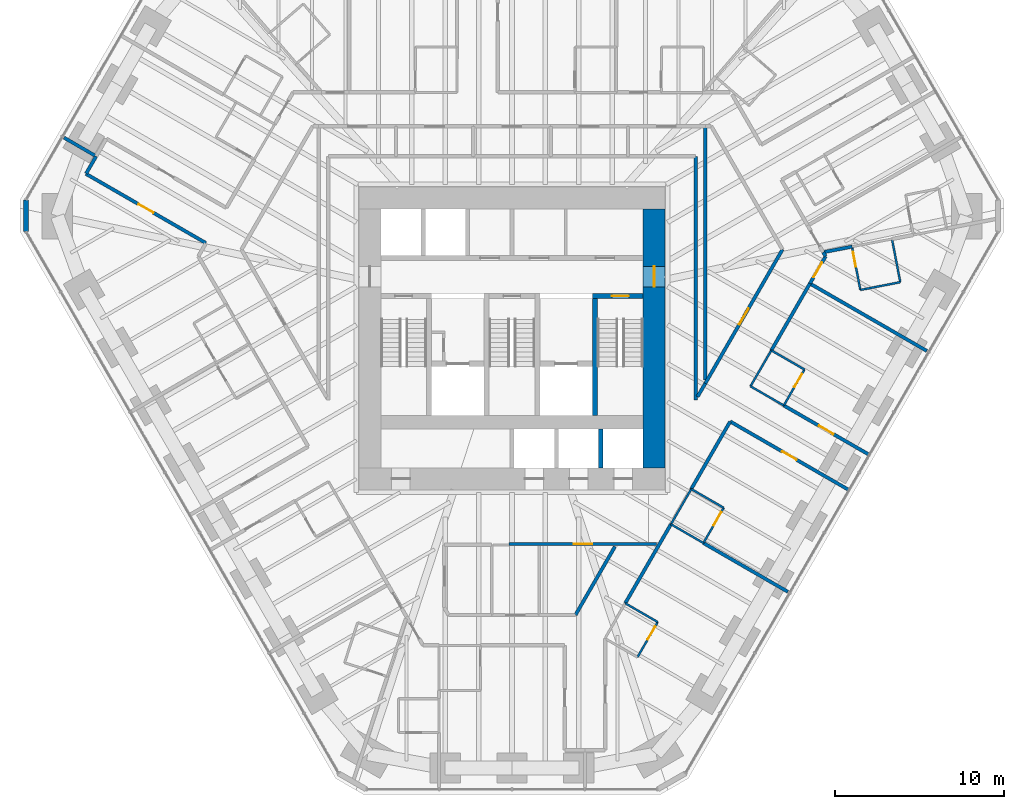
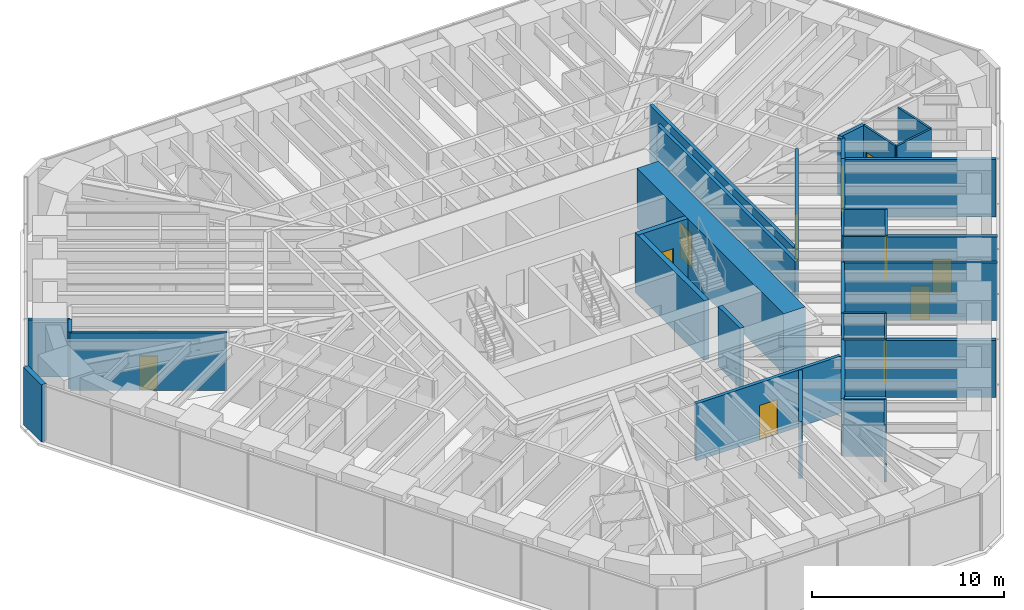
# One storey, part 13 of 17: 37 walls, 12 doors, 12 openings.
"""IFC4 building model written with IfcOpenShell, lengths in metres."""

from ifc_helpers import new_model, si_unit, direction, frame, frame_2d, origin, place, context, subcontext, project, spatial, rectangle, extrude, material, layer, layer_set, type_object, element, fill, save


model = new_model("IFC4")

# Units and contexts
model_context = context("Model", 3, precision=1e-05, world=origin(), true_north=direction((0.0, 1.0)))
body_context = subcontext(model_context, "Body", "Model", "MODEL_VIEW")
ifc_project = project(units=[si_unit("LENGTHUNIT", "METRE"), si_unit("AREAUNIT", "SQUARE_METRE"), si_unit("VOLUMEUNIT", "CUBIC_METRE"), si_unit("PLANEANGLEUNIT", "RADIAN"), si_unit("MASSUNIT", "GRAM", prefix="KILO")], contexts=[model_context])

# Site, building, storey
site_placement = place(None, origin())
site = spatial("IfcSite", under=ifc_project, at=site_placement, CompositionType="ELEMENT")
building_placement = place(site_placement, origin())
building = spatial("IfcBuilding", under=site, at=building_placement, Name="Sandreach Pilgrim Tower", CompositionType="ELEMENT")
storey_placement = place(building_placement, frame((0.0, 0.0, 119.60009765625)))
storey = spatial("IfcBuildingStorey", under=building, at=storey_placement, Name="L29", CompositionType="ELEMENT", Elevation=119.60009765625)

# Wall, opening, door
ifc_material_1 = material(Name="Moisture-resistant gypsum board on steel studs", Category="steel")
ifc_layer_1 = layer(ifc_material_1, 0.1201171875)
ifc_layer_set_1 = layer_set([ifc_layer_1], Name="Bathroom partition 120")
wall_type_1 = type_object("IfcWallType", Name="Bathroom partition 120", PredefinedType="PARTITIONING", material=ifc_layer_set_1)
wall_1_placement = place(storey_placement, frame((7.409912109375, -20.389892578125, 0.0), z_axis=(0.0, 0.0, 1.0), x_axis=(0.499737123639, 0.866177122335, 0.0)))
wall_1 = element("IfcWall", 1, at=wall_1_placement, inside=storey, type_object=wall_type_1, Name="Bathroom partition L29-116", PredefinedType="PARTITIONING", context=body_context, shape_type="SweptSolid", body=[
    extrude(rectangle(XDim=2.401123046875, YDim=0.1201171875, at=frame_2d((1.20068359375, 0.0))), origin(), (0.0, 0.0, 1.0), 3.639892578125),
])
opening_1_placement = place(wall_1_placement, frame((1.201416015625, 0.0, 0.0)))
opening_1 = element("IfcOpeningElement", 2, at=opening_1_placement, cuts=wall_1, Name="Opening D09-11B", PredefinedType="OPENING", context=body_context, shape_type="SweptSolid", body=[
    extrude(rectangle(XDim=0.89990234375, YDim=2.030029296875, at=frame_2d((0.449951171875, 1.01513671875))), frame((0.0, 0.06005859375, 0.0), z_axis=(0.0, -1.0, 0.0), x_axis=(1.0, 0.0, 0.0)), (0.0, 0.0, 1.0), 0.1201171875),
])
ifc_material_2 = material(Name="Timber door, steel frame", Category="steel")
door_type_1 = type_object("IfcDoorType", Name="Bathroom door", OperationType="SINGLE_SWING_LEFT", PredefinedType="DOOR", material=ifc_material_2)
door_1_placement = place(opening_1_placement, origin())
door_1 = element("IfcDoor", 3, at=door_1_placement, inside=storey, type_object=door_type_1, Name="Door 2911B", OperationType="SINGLE_SWING_RIGHT", OverallHeight=2.030029296875, OverallWidth=0.89990234375, PredefinedType="DOOR", context=body_context, shape_type="SweptSolid", body=[
    extrude(rectangle(XDim=0.89990234375, YDim=2.030029296875, at=frame_2d((0.449951171875, 1.01513671875))), frame((0.0, 0.02490234375, 0.0), z_axis=(0.0, -1.0, 0.0), x_axis=(1.0, 0.0, 0.0)), (0.0, 0.0, 1.0), 0.050048828125),
])
fill(opening_1, door_1)

# Walls
wall_2_placement = place(storey_placement, frame((8.610107421875, -18.31005859375, 0.0), z_axis=(0.0, 0.0, 1.0), x_axis=(-0.865732595383, 0.500506816428, 0.0)))
element("IfcWall", 4, at=wall_2_placement, inside=storey, type_object=wall_type_1, Name="Bathroom partition L29-118", PredefinedType="PARTITIONING", context=body_context, shape_type="SweptSolid", body=[
    extrude(rectangle(XDim=2.218017578125, YDim=0.1201171875, at=frame_2d((1.10888671875, 0.0))), origin(), (0.0, 0.0, 1.0), 3.639892578125),
])
wall_3_placement = place(storey_placement, frame((9.389892578125, -12.530029296875, 0.0), z_axis=(0.0, 0.0, 1.0), x_axis=(0.499769390944, 0.866158505053, 0.0)))
element("IfcWall", 5, at=wall_3_placement, inside=storey, type_object=wall_type_1, Name="Bathroom partition L29-121", PredefinedType="PARTITIONING", context=body_context, shape_type="SweptSolid", body=[
    extrude(rectangle(XDim=2.401611328125, YDim=0.1201171875, at=frame_2d((1.20068359375, 0.0))), origin(), (0.0, 0.0, 1.0), 3.639892578125),
])
wall_4_placement = place(storey_placement, frame((9.389892578125, -12.530029296875, 0.0), z_axis=(0.0, 0.0, 1.0), x_axis=(0.865732595383, -0.500506816428, 0.0)))
element("IfcWall", 6, at=wall_4_placement, inside=storey, type_object=wall_type_1, Name="Bathroom partition L29-122", PredefinedType="PARTITIONING", context=body_context, shape_type="SweptSolid", body=[
    extrude(rectangle(XDim=2.218017578125, YDim=0.1201171875, at=frame_2d((1.10888671875, 0.0))), origin(), (0.0, 0.0, 1.0), 3.639892578125),
])

# Wall, opening, door
wall_5_placement = place(storey_placement, frame((11.31005859375, -13.639892578125, 0.0), z_axis=(0.0, 0.0, 1.0), x_axis=(0.499737123639, 0.866177122335, 0.0)))
wall_5 = element("IfcWall", 7, at=wall_5_placement, inside=storey, type_object=wall_type_1, Name="Bathroom partition L29-127", PredefinedType="PARTITIONING", context=body_context, shape_type="SweptSolid", body=[
    extrude(rectangle(XDim=2.401123046875, YDim=0.1201171875, at=frame_2d((1.20068359375, 0.0))), origin(), (0.0, 0.0, 1.0), 3.639892578125),
])
opening_2_placement = place(wall_5_placement, frame((1.201416015625, 0.0, 0.0)))
opening_2 = element("IfcOpeningElement", 8, at=opening_2_placement, cuts=wall_5, Name="Opening D09-10B", PredefinedType="OPENING", context=body_context, shape_type="SweptSolid", body=[
    extrude(rectangle(XDim=0.89990234375, YDim=2.030029296875, at=frame_2d((0.449951171875, 1.01513671875))), frame((0.0, 0.06005859375, 0.0), z_axis=(0.0, -1.0, 0.0), x_axis=(1.0, 0.0, 0.0)), (0.0, 0.0, 1.0), 0.1201171875),
])
door_2_placement = place(opening_2_placement, origin())
door_2 = element("IfcDoor", 9, at=door_2_placement, inside=storey, type_object=door_type_1, Name="Door 2910B", OperationType="SINGLE_SWING_RIGHT", OverallHeight=2.030029296875, OverallWidth=0.89990234375, PredefinedType="DOOR", context=body_context, shape_type="SweptSolid", body=[
    extrude(rectangle(XDim=0.89990234375, YDim=2.030029296875, at=frame_2d((0.449951171875, 1.01513671875))), frame((0.0, 0.02490234375, 0.0), z_axis=(0.0, -1.0, 0.0), x_axis=(1.0, 0.0, 0.0)), (0.0, 0.0, 1.0), 0.050048828125),
])
fill(opening_2, door_2)

# Walls
wall_6_placement = place(storey_placement, frame((12.510009765625, -11.56005859375, 0.0), z_axis=(0.0, 0.0, 1.0), x_axis=(-0.865705017107, 0.500554515868, 0.0)))
element("IfcWall", 10, at=wall_6_placement, inside=storey, type_object=wall_type_1, Name="Bathroom partition L29-139", PredefinedType="PARTITIONING", context=body_context, shape_type="SweptSolid", body=[
    extrude(rectangle(XDim=2.2177734375, YDim=0.1201171875, at=frame_2d((1.10888671875, 0.0))), origin(), (0.0, 0.0, 1.0), 3.639892578125),
])
wall_7_placement = place(storey_placement, frame((14.090087890625, -4.3798828125, 0.0), z_axis=(0.0, 0.0, 1.0), x_axis=(0.501856726365, 0.86495076519, 0.0)))
element("IfcWall", 11, at=wall_7_placement, inside=storey, type_object=wall_type_1, Name="Bathroom partition L29-145", PredefinedType="PARTITIONING", context=body_context, shape_type="SweptSolid", body=[
    extrude(rectangle(XDim=2.450927734375, YDim=0.1201171875, at=frame_2d((1.2255859375, 0.0))), origin(), (0.0, 0.0, 1.0), 3.639892578125),
])
wall_8_placement = place(storey_placement, frame((14.090087890625, -4.3798828125, 0.0), z_axis=(0.0, 0.0, 1.0), x_axis=(0.866151579213, -0.499781394038, 0.0)))
element("IfcWall", 12, at=wall_8_placement, inside=storey, type_object=wall_type_1, Name="Bathroom partition L29-146", PredefinedType="PARTITIONING", context=body_context, shape_type="SweptSolid", body=[
    extrude(rectangle(XDim=2.27099609375, YDim=0.1201171875, at=frame_2d((1.135498046875, 0.0))), origin(), (0.0, 0.0, 1.0), 3.639892578125),
])

# Wall, opening, door
wall_9_placement = place(storey_placement, frame((16.06005859375, -5.510009765625, 0.0), z_axis=(0.0, 0.0, 1.0), x_axis=(0.498748634132, 0.866746675766, 0.0)))
wall_9 = element("IfcWall", 13, at=wall_9_placement, inside=storey, type_object=wall_type_1, Name="Bathroom partition L29-153", PredefinedType="PARTITIONING", context=body_context, shape_type="SweptSolid", body=[
    extrude(rectangle(XDim=2.446044921875, YDim=0.1201171875, at=frame_2d((1.22314453125, 0.0))), origin(), (0.0, 0.0, 1.0), 3.639892578125),
])
opening_3_placement = place(wall_9_placement, frame((1.24609375, 0.0, 0.0)))
opening_3 = element("IfcOpeningElement", 14, at=opening_3_placement, cuts=wall_9, Name="Opening D09-09B", PredefinedType="OPENING", context=body_context, shape_type="SweptSolid", body=[
    extrude(rectangle(XDim=0.89990234375, YDim=2.030029296875, at=frame_2d((0.449951171875, 1.01513671875))), frame((0.0, 0.06005859375, 0.0), z_axis=(0.0, -1.0, 0.0), x_axis=(1.0, 0.0, 0.0)), (0.0, 0.0, 1.0), 0.1201171875),
])
door_3_placement = place(opening_3_placement, origin())
door_3 = element("IfcDoor", 15, at=door_3_placement, inside=storey, type_object=door_type_1, Name="Door 2909B", OperationType="SINGLE_SWING_RIGHT", OverallHeight=2.030029296875, OverallWidth=0.89990234375, PredefinedType="DOOR", context=body_context, shape_type="SweptSolid", body=[
    extrude(rectangle(XDim=0.89990234375, YDim=2.030029296875, at=frame_2d((0.449951171875, 1.01513671875))), frame((0.0, 0.02490234375, 0.0), z_axis=(0.0, -1.0, 0.0), x_axis=(1.0, 0.0, 0.0)), (0.0, 0.0, 1.0), 0.050048828125),
])
fill(opening_3, door_3)

# Wall
wall_10_placement = place(storey_placement, frame((17.280029296875, -3.389892578125, 0.0), z_axis=(0.0, 0.0, 1.0), x_axis=(-0.86635082644, 0.49943592735, 0.0)))
element("IfcWall", 16, at=wall_10_placement, inside=storey, type_object=wall_type_1, Name="Bathroom partition L29-156", PredefinedType="PARTITIONING", context=body_context, shape_type="SweptSolid", body=[
    extrude(rectangle(XDim=2.26220703125, YDim=0.1201171875, at=frame_2d((1.131103515625, 0.0))), origin(), (0.0, 0.0, 1.0), 3.639892578125),
])

# Wall, opening, door
wall_11_placement = place(storey_placement, frame((20.090087890625, 3.8701171875, 0.0), z_axis=(0.0, 0.0, 1.0), x_axis=(0.187985762814, -0.982171753299, 0.0)))
wall_11 = element("IfcWall", 17, at=wall_11_placement, inside=storey, type_object=wall_type_1, Name="Bathroom partition L29-164", PredefinedType="PARTITIONING", context=body_context, shape_type="SweptSolid", body=[
    extrude(rectangle(XDim=2.6064453125, YDim=0.1201171875, at=frame_2d((1.30322265625, 0.0))), origin(), (0.0, 0.0, 1.0), 3.639892578125),
])
opening_4_placement = place(wall_11_placement, frame((0.300048828125, 0.0, 0.0)))
opening_4 = element("IfcOpeningElement", 18, at=opening_4_placement, cuts=wall_11, Name="Opening D09-08B", PredefinedType="OPENING", context=body_context, shape_type="SweptSolid", body=[
    extrude(rectangle(XDim=0.89990234375, YDim=2.030029296875, at=frame_2d((0.449951171875, 1.01513671875))), frame((0.0, 0.06005859375, 0.0), z_axis=(0.0, -1.0, 0.0), x_axis=(1.0, 0.0, 0.0)), (0.0, 0.0, 1.0), 0.1201171875),
])
door_4_placement = place(opening_4_placement, origin())
door_4 = element("IfcDoor", 19, at=door_4_placement, inside=storey, type_object=door_type_1, Name="Door 2908B", OperationType="SINGLE_SWING_LEFT", OverallHeight=2.030029296875, OverallWidth=0.89990234375, PredefinedType="DOOR", context=body_context, shape_type="SweptSolid", body=[
    extrude(rectangle(XDim=0.89990234375, YDim=2.030029296875, at=frame_2d((0.449951171875, 1.01513671875))), frame((0.0, 0.02490234375, 0.0), z_axis=(0.0, -1.0, 0.0), x_axis=(1.0, 0.0, 0.0)), (0.0, 0.0, 1.0), 0.050048828125),
])
fill(opening_4, door_4)

# Walls
wall_12_placement = place(storey_placement, frame((20.580078125, 1.31005859375, 0.0), z_axis=(0.0, 0.0, 1.0), x_axis=(0.981529676402, 0.191309943135, 0.0)))
element("IfcWall", 20, at=wall_12_placement, inside=storey, type_object=wall_type_1, Name="Bathroom partition L29-166", PredefinedType="PARTITIONING", context=body_context, shape_type="SweptSolid", body=[
    extrude(rectangle(XDim=2.404296875, YDim=0.1201171875, at=frame_2d((1.2021484375, 0.0))), origin(), (0.0, 0.0, 1.0), 3.639892578125),
])
wall_13_placement = place(storey_placement, frame((22.93994140625, 1.77001953125, 0.0), z_axis=(0.0, 0.0, 1.0), x_axis=(-0.188697442844, 0.982035271802, 0.0)))
element("IfcWall", 21, at=wall_13_placement, inside=storey, type_object=wall_type_1, Name="Bathroom partition L29-168", PredefinedType="PARTITIONING", context=body_context, shape_type="SweptSolid", body=[
    extrude(rectangle(XDim=2.5966796875, YDim=0.1201171875, at=frame_2d((1.29833984375, 0.0))), origin(), (0.0, 0.0, 1.0), 3.639892578125),
])
ifc_material_3 = material(Name="Concrete 10000 psi", Category="concrete")
ifc_layer_2 = layer(ifc_material_3, 0.300048828125)
ifc_layer_set_2 = layer_set([ifc_layer_2], Name="Core inner wall 300")
wall_type_2 = type_object("IfcWallType", Name="Core inner wall 300", PredefinedType="SHEAR", material=ifc_layer_set_2)
wall_14_placement = place(storey_placement, frame((4.89990234375, -6.10009765625, 0.0), z_axis=(0.0, 0.0, 1.0), x_axis=(0.0, 1.0, 0.0)))
element("IfcWall", 22, at=wall_14_placement, inside=storey, type_object=wall_type_2, Name="Core wall I3 L29", PredefinedType="SHEAR", context=body_context, shape_type="SweptSolid", body=[
    extrude(rectangle(XDim=7.2001953125, YDim=0.300048828125, at=frame_2d((3.60009765625, 0.0))), origin(), (0.0, 0.0, 1.0), 3.7998046875),
])

# Wall, opening, door
wall_15_placement = place(storey_placement, frame((4.75, 0.949951171875, 0.0), z_axis=(0.0, 0.0, 1.0), x_axis=(1.0, 0.0, 0.0)))
wall_15 = element("IfcWall", 23, at=wall_15_placement, inside=storey, type_object=wall_type_2, Name="Core wall SN2 L29", PredefinedType="SHEAR", context=body_context, shape_type="SweptSolid", body=[
    extrude(rectangle(XDim=3.0, YDim=0.300048828125, at=frame_2d((1.5, 0.0))), origin(), (0.0, 0.0, 1.0), 3.7998046875),
])
opening_5_placement = place(wall_15_placement, frame((1.14990234375, 0.0, 0.0)))
opening_5 = element("IfcOpeningElement", 24, at=opening_5_placement, cuts=wall_15, Name="Opening D10S-ST2", PredefinedType="OPENING", context=body_context, shape_type="SweptSolid", body=[
    extrude(rectangle(XDim=1.0, YDim=2.199951171875, at=frame_2d((0.5, 1.10009765625))), frame((0.0, 0.14990234375, 0.0), z_axis=(0.0, -1.0, 0.0), x_axis=(1.0, 0.0, 0.0)), (0.0, 0.0, 1.0), 0.300048828125),
])
ifc_material_4 = material(Name="Steel door and frame", Category="steel")
door_type_2 = type_object("IfcDoorType", Name="Stair door", OperationType="SINGLE_SWING_LEFT", PredefinedType="DOOR", material=ifc_material_4)
door_5_placement = place(opening_5_placement, origin())
door_5 = element("IfcDoor", 25, at=door_5_placement, inside=storey, type_object=door_type_2, Name="Stair door ST2 L29", OperationType="SINGLE_SWING_RIGHT", OverallHeight=2.199951171875, OverallWidth=1.0, PredefinedType="DOOR", context=body_context, shape_type="SweptSolid", body=[
    extrude(rectangle(XDim=1.0, YDim=2.199951171875, at=frame_2d((0.5, 1.10009765625))), frame((0.0, 0.02490234375, 0.0), z_axis=(0.0, -1.0, 0.0), x_axis=(1.0, 0.0, 0.0)), (0.0, 0.0, 1.0), 0.050048828125),
])
fill(opening_5, door_5)

ifc_material_5 = material(Name="Concrete 10000 psi", Category="concrete")
ifc_layer_3 = layer(ifc_material_5, 1.300048828125)
ifc_layer_set_3 = layer_set([ifc_layer_3], Name="Core wall 1300")
wall_type_3 = type_object("IfcWallType", Name="Core wall 1300", PredefinedType="SHEAR", material=ifc_layer_set_3)
wall_16_placement = place(storey_placement, frame((8.39990234375, -9.199951171875, 0.0), z_axis=(0.0, 0.0, 1.0), x_axis=(0.0, 1.0, 0.0)))
wall_16 = element("IfcWall", 26, at=wall_16_placement, inside=storey, type_object=wall_type_3, Name="Core wall E L29", PredefinedType="SHEAR", context=body_context, shape_type="SweptSolid", body=[
    extrude(rectangle(XDim=15.300048828125, YDim=1.300048828125, at=frame_2d((7.64990234375, 0.0))), origin(), (0.0, 0.0, 1.0), 3.7998046875),
])
opening_6_placement = place(wall_16_placement, frame((10.699951171875, 0.0, 0.0)))
opening_6 = element("IfcOpeningElement", 27, at=opening_6_placement, cuts=wall_16, Name="Opening D12F-E", PredefinedType="OPENING", context=body_context, shape_type="SweptSolid", body=[
    extrude(rectangle(XDim=1.199951171875, YDim=2.199951171875, at=frame_2d((0.60009765625, 1.10009765625))), frame((0.0, 0.64990234375, 0.0), z_axis=(0.0, -1.0, 0.0), x_axis=(1.0, 0.0, 0.0)), (0.0, 0.0, 1.0), 1.300048828125),
])
ifc_material_6 = material(Name="Steel door and frame", Category="steel")
door_type_3 = type_object("IfcDoorType", Name="Fire lobby door", OperationType="SINGLE_SWING_LEFT", PredefinedType="DOOR", material=ifc_material_6)
door_6_placement = place(opening_6_placement, origin())
door_6 = element("IfcDoor", 28, at=door_6_placement, inside=storey, type_object=door_type_3, Name="Fire service lobby door E L29", OperationType="SINGLE_SWING_RIGHT", OverallHeight=2.199951171875, OverallWidth=1.199951171875, PredefinedType="DOOR", context=body_context, shape_type="SweptSolid", body=[
    extrude(rectangle(XDim=1.199951171875, YDim=2.199951171875, at=frame_2d((0.60009765625, 1.10009765625))), frame((0.0, 0.02490234375, 0.0), z_axis=(0.0, -1.0, 0.0), x_axis=(1.0, 0.0, 0.0)), (0.0, 0.0, 1.0), 0.050048828125),
])
fill(opening_6, door_6)

ifc_material_7 = material(Name="Gypsum board on steel studs, two layers each side", Category="steel")
ifc_layer_4 = layer(ifc_material_7, 0.199951171875)
ifc_layer_set_4 = layer_set([ifc_layer_4], Name="Corridor wall 200")
wall_type_4 = type_object("IfcWallType", Name="Corridor wall 200", PredefinedType="PARTITIONING", material=ifc_layer_set_4)
wall_17_placement = place(storey_placement, frame((-25.169921875, 8.169921875, 0.0), z_axis=(0.0, 0.0, 1.0), x_axis=(0.866209421097, -0.499681137129, 0.0)))
wall_17 = element("IfcWall", 29, at=wall_17_placement, inside=storey, type_object=wall_type_4, Name="Corridor wall L29-002", PredefinedType="PARTITIONING", context=body_context, shape_type="SweptSolid", body=[
    extrude(rectangle(XDim=8.184814453125, YDim=0.199951171875, at=frame_2d((4.09228515625, 0.0))), origin(), (0.0, 0.0, 1.0), 3.639892578125),
])
opening_7_placement = place(wall_17_placement, frame((3.592529296875, 0.0, 0.0)))
opening_7 = element("IfcOpeningElement", 30, at=opening_7_placement, cuts=wall_17, Name="Opening D10-17", PredefinedType="OPENING", context=body_context, shape_type="SweptSolid", body=[
    extrude(rectangle(XDim=1.0, YDim=2.1298828125, at=frame_2d((0.5, 1.06494140625))), frame((0.0, 0.10009765625, 0.0), z_axis=(0.0, -1.0, 0.0), x_axis=(1.0, 0.0, 0.0)), (0.0, 0.0, 1.0), 0.199951171875),
])
ifc_material_8 = material(Name="Steel door and frame", Category="steel")
door_type_4 = type_object("IfcDoorType", Name="Guest room entry door", OperationType="SINGLE_SWING_LEFT", PredefinedType="DOOR", material=ifc_material_8)
door_7_placement = place(opening_7_placement, origin())
door_7 = element("IfcDoor", 31, at=door_7_placement, inside=storey, type_object=door_type_4, Name="Door 2917", OperationType="SINGLE_SWING_LEFT", OverallHeight=2.1298828125, OverallWidth=1.0, PredefinedType="DOOR", context=body_context, shape_type="SweptSolid", body=[
    extrude(rectangle(XDim=1.0, YDim=2.1298828125, at=frame_2d((0.5, 1.06494140625))), frame((0.0, 0.02490234375, 0.0), z_axis=(0.0, -1.0, 0.0), x_axis=(1.0, 0.0, 0.0)), (0.0, 0.0, 1.0), 0.050048828125),
])
fill(opening_7, door_7)

# Walls
wall_18_placement = place(storey_placement, frame((-25.16259765625, 8.18310546875, 0.0), z_axis=(0.0, 0.0, 1.0), x_axis=(0.499793761865, 0.866144442689, 0.0)))
element("IfcWall", 32, at=wall_18_placement, inside=storey, type_object=wall_type_4, Name="Corridor wall L29-003", PredefinedType="PARTITIONING", context=body_context, shape_type="SweptSolid", body=[
    extrude(rectangle(XDim=1.185546875, YDim=0.199951171875, at=frame_2d((0.5927734375, 0.0))), origin(), (0.0, 0.0, 1.0), 3.639892578125),
])
wall_19_placement = place(storey_placement, frame((6.08251953125, -13.849609375, 0.0), z_axis=(0.0, 0.0, 1.0), x_axis=(-0.499977643516, -0.866038310922, 0.0)))
element("IfcWall", 33, at=wall_19_placement, inside=storey, type_object=wall_type_4, Name="Corridor wall L29-107", PredefinedType="PARTITIONING", context=body_context, shape_type="SweptSolid", body=[
    extrude(rectangle(XDim=4.665283203125, YDim=0.199951171875, at=frame_2d((2.33251953125, 0.0))), origin(), (0.0, 0.0, 1.0), 3.639892578125),
])
wall_20_placement = place(storey_placement, frame((6.68994140625, -17.199951171875, 0.0), z_axis=(0.0, 0.0, 1.0), x_axis=(0.500524150216, 0.865722573952, 0.0)))
element("IfcWall", 34, at=wall_20_placement, inside=storey, type_object=wall_type_4, Name="Corridor wall L29-112", PredefinedType="PARTITIONING", context=body_context, shape_type="SweptSolid", body=[
    extrude(rectangle(XDim=5.394287109375, YDim=0.199951171875, at=frame_2d((2.697265625, 0.0))), origin(), (0.0, 0.0, 1.0), 3.639892578125),
])

# Wall, opening, door
wall_21_placement = place(storey_placement, frame((8.5380859375, -13.699951171875, 0.0), z_axis=(0.0, 0.0, 1.0), x_axis=(-1.0, 0.0, 0.0)))
wall_21 = element("IfcWall", 35, at=wall_21_placement, inside=storey, type_object=wall_type_4, Name="Corridor wall L29-117", PredefinedType="PARTITIONING", context=body_context, shape_type="SweptSolid", body=[
    extrude(rectangle(XDim=8.7080078125, YDim=0.199951171875, at=frame_2d((4.35400390625, 0.0))), origin(), (0.0, 0.0, 1.0), 3.639892578125),
])
opening_8_placement = place(wall_21_placement, frame((3.80419921875, 0.0, 0.0)))
opening_8 = element("IfcOpeningElement", 36, at=opening_8_placement, cuts=wall_21, Name="Opening D11H-S4", PredefinedType="OPENING", context=body_context, shape_type="SweptSolid", body=[
    extrude(rectangle(XDim=1.10009765625, YDim=2.199951171875, at=frame_2d((0.550048828125, 1.10009765625))), frame((0.0, 0.10009765625, 0.0), z_axis=(0.0, -1.0, 0.0), x_axis=(1.0, 0.0, 0.0)), (0.0, 0.0, 1.0), 0.199951171875),
])
ifc_material_9 = material(Name="Steel door and frame", Category="steel")
door_type_5 = type_object("IfcDoorType", Name="Back of house door", OperationType="SINGLE_SWING_LEFT", PredefinedType="DOOR", material=ifc_material_9)
door_8_placement = place(opening_8_placement, origin())
door_8 = element("IfcDoor", 37, at=door_8_placement, inside=storey, type_object=door_type_5, Name="Door 29S4", OperationType="SINGLE_SWING_LEFT", OverallHeight=2.199951171875, OverallWidth=1.10009765625, PredefinedType="DOOR", context=body_context, shape_type="SweptSolid", body=[
    extrude(rectangle(XDim=1.10009765625, YDim=2.199951171875, at=frame_2d((0.550048828125, 1.10009765625))), frame((0.0, 0.02490234375, 0.0), z_axis=(0.0, -1.0, 0.0), x_axis=(1.0, 0.0, 0.0)), (0.0, 0.0, 1.0), 0.050048828125),
])
fill(opening_8, door_8)

# Walls
wall_22_placement = place(storey_placement, frame((10.590087890625, -10.449951171875, 0.0), z_axis=(0.0, 0.0, 1.0), x_axis=(0.499408130876, 0.866366850021, 0.0)))
element("IfcWall", 38, at=wall_22_placement, inside=storey, type_object=wall_type_4, Name="Corridor wall L29-123", PredefinedType="PARTITIONING", context=body_context, shape_type="SweptSolid", body=[
    extrude(rectangle(XDim=4.59521484375, YDim=0.199951171875, at=frame_2d((2.297607421875, 0.0))), origin(), (0.0, 0.0, 1.0), 3.639892578125),
])
wall_23_placement = place(storey_placement, frame((10.85009765625, -5.18994140625, 0.0), z_axis=(0.0, 0.0, 1.0), x_axis=(0.0, 1.0, 0.0)))
element("IfcWall", 39, at=wall_23_placement, inside=storey, type_object=wall_type_4, Name="Corridor wall L29-125", PredefinedType="PARTITIONING", context=body_context, shape_type="SweptSolid", body=[
    extrude(rectangle(XDim=14.389892578125, YDim=0.199951171875, at=frame_2d((7.19482421875, 0.0))), origin(), (0.0, 0.0, 1.0), 3.639892578125),
])
wall_24_placement = place(storey_placement, frame((11.419921875, -4.2099609375, 0.0), z_axis=(0.0, 0.0, 1.0), x_axis=(-0.502657614045, -0.8644855829, 0.0)))
element("IfcWall", 40, at=wall_24_placement, inside=storey, type_object=wall_type_4, Name="Corridor wall L29-132", PredefinedType="PARTITIONING", context=body_context, shape_type="SweptSolid", body=[
    extrude(rectangle(XDim=0.91357421875, YDim=0.199951171875, at=frame_2d((0.456787109375, 0.0))), origin(), (0.0, 0.0, 1.0), 3.639892578125),
])

# Wall, opening, door
wall_25_placement = place(storey_placement, frame((12.889892578125, -6.4599609375, 0.0), z_axis=(0.0, 0.0, 1.0), x_axis=(0.866181559118, -0.499729433437, 0.0)))
wall_25 = element("IfcWall", 41, at=wall_25_placement, inside=storey, type_object=wall_type_4, Name="Corridor wall L29-141", PredefinedType="PARTITIONING", context=body_context, shape_type="SweptSolid", body=[
    extrude(rectangle(XDim=8.07470703125, YDim=0.199951171875, at=frame_2d((4.037353515625, 0.0))), origin(), (0.0, 0.0, 1.0), 3.639892578125),
])
opening_9_placement = place(wall_25_placement, frame((3.537353515625, 0.0, 0.0)))
opening_9 = element("IfcOpeningElement", 42, at=opening_9_placement, cuts=wall_25, Name="Opening D10-10", PredefinedType="OPENING", context=body_context, shape_type="SweptSolid", body=[
    extrude(rectangle(XDim=1.0, YDim=2.1298828125, at=frame_2d((0.5, 1.06494140625))), frame((0.0, 0.10009765625, 0.0), z_axis=(0.0, -1.0, 0.0), x_axis=(1.0, 0.0, 0.0)), (0.0, 0.0, 1.0), 0.199951171875),
])
door_9_placement = place(opening_9_placement, origin())
door_9 = element("IfcDoor", 43, at=door_9_placement, inside=storey, type_object=door_type_4, Name="Door 2910", OperationType="SINGLE_SWING_LEFT", OverallHeight=2.1298828125, OverallWidth=1.0, PredefinedType="DOOR", context=body_context, shape_type="SweptSolid", body=[
    extrude(rectangle(XDim=1.0, YDim=2.1298828125, at=frame_2d((0.5, 1.06494140625))), frame((0.0, 0.02490234375, 0.0), z_axis=(0.0, -1.0, 0.0), x_axis=(1.0, 0.0, 0.0)), (0.0, 0.0, 1.0), 0.050048828125),
])
fill(opening_9, door_9)

# Wall
wall_26_placement = place(storey_placement, frame((15.320068359375, -2.260009765625, 0.0), z_axis=(0.0, 0.0, 1.0), x_axis=(0.499921709333, 0.866070600204, 0.0)))
element("IfcWall", 44, at=wall_26_placement, inside=storey, type_object=wall_type_4, Name="Corridor wall L29-147", PredefinedType="PARTITIONING", context=body_context, shape_type="SweptSolid", body=[
    extrude(rectangle(XDim=4.560791015625, YDim=0.199951171875, at=frame_2d((2.2802734375, 0.0))), origin(), (0.0, 0.0, 1.0), 3.639892578125),
])

# Wall, opening, door
wall_27_placement = place(storey_placement, frame((15.97998046875, 3.699951171875, 0.0), z_axis=(0.0, 0.0, 1.0), x_axis=(-0.499446957289, -0.866344467781, 0.0)))
wall_27 = element("IfcWall", 45, at=wall_27_placement, inside=storey, type_object=wall_type_4, Name="Corridor wall L29-151", PredefinedType="PARTITIONING", context=body_context, shape_type="SweptSolid", body=[
    extrude(rectangle(XDim=9.130126953125, YDim=0.199951171875, at=frame_2d((4.56494140625, 0.0))), origin(), (0.0, 0.0, 1.0), 3.639892578125),
])
opening_10_placement = place(wall_27_placement, frame((4.01513671875, 0.0, 0.0)))
opening_10 = element("IfcOpeningElement", 46, at=opening_10_placement, cuts=wall_27, Name="Opening D11H-M07", PredefinedType="OPENING", context=body_context, shape_type="SweptSolid", body=[
    extrude(rectangle(XDim=1.10009765625, YDim=2.199951171875, at=frame_2d((0.550048828125, 1.10009765625))), frame((0.0, 0.10009765625, 0.0), z_axis=(0.0, -1.0, 0.0), x_axis=(1.0, 0.0, 0.0)), (0.0, 0.0, 1.0), 0.199951171875),
])
door_10_placement = place(opening_10_placement, origin())
door_10 = element("IfcDoor", 47, at=door_10_placement, inside=storey, type_object=door_type_5, Name="Door 29M07", OperationType="SINGLE_SWING_LEFT", OverallHeight=2.199951171875, OverallWidth=1.10009765625, PredefinedType="DOOR", context=body_context, shape_type="SweptSolid", body=[
    extrude(rectangle(XDim=1.10009765625, YDim=2.199951171875, at=frame_2d((0.550048828125, 1.10009765625))), frame((0.0, 0.02490234375, 0.0), z_axis=(0.0, -1.0, 0.0), x_axis=(1.0, 0.0, 0.0)), (0.0, 0.0, 1.0), 0.050048828125),
])
fill(opening_10, door_10)

wall_28_placement = place(storey_placement, frame((16.05712890625, -5.514892578125, 0.0), z_axis=(0.0, 0.0, 1.0), x_axis=(0.866182784606, -0.499727309292, 0.0)))
wall_28 = element("IfcWall", 48, at=wall_28_placement, inside=storey, type_object=wall_type_4, Name="Corridor wall L29-152", PredefinedType="PARTITIONING", context=body_context, shape_type="SweptSolid", body=[
    extrude(rectangle(XDim=5.803466796875, YDim=0.199951171875, at=frame_2d((2.90185546875, 0.0))), origin(), (0.0, 0.0, 1.0), 3.639892578125),
])
opening_11_placement = place(wall_28_placement, frame((2.401611328125, 0.0, 0.0)))
opening_11 = element("IfcOpeningElement", 49, at=opening_11_placement, cuts=wall_28, Name="Opening D10-09", PredefinedType="OPENING", context=body_context, shape_type="SweptSolid", body=[
    extrude(rectangle(XDim=1.0, YDim=2.1298828125, at=frame_2d((0.5, 1.06494140625))), frame((0.0, 0.10009765625, 0.0), z_axis=(0.0, -1.0, 0.0), x_axis=(1.0, 0.0, 0.0)), (0.0, 0.0, 1.0), 0.199951171875),
])
door_11_placement = place(opening_11_placement, origin())
door_11 = element("IfcDoor", 50, at=door_11_placement, inside=storey, type_object=door_type_4, Name="Door 2909", OperationType="SINGLE_SWING_LEFT", OverallHeight=2.1298828125, OverallWidth=1.0, PredefinedType="DOOR", context=body_context, shape_type="SweptSolid", body=[
    extrude(rectangle(XDim=1.0, YDim=2.1298828125, at=frame_2d((0.5, 1.06494140625))), frame((0.0, 0.02490234375, 0.0), z_axis=(0.0, -1.0, 0.0), x_axis=(1.0, 0.0, 0.0)), (0.0, 0.0, 1.0), 0.050048828125),
])
fill(opening_11, door_11)

wall_29_placement = place(storey_placement, frame((17.60009765625, 1.68994140625, 0.0), z_axis=(0.0, 0.0, 1.0), x_axis=(0.50013539823, 0.865947217466, 0.0)))
wall_29 = element("IfcWall", 51, at=wall_29_placement, inside=storey, type_object=wall_type_4, Name="Corridor wall L29-158", PredefinedType="PARTITIONING", context=body_context, shape_type="SweptSolid", body=[
    extrude(rectangle(XDim=1.859375, YDim=0.199951171875, at=frame_2d((0.9296875, 0.0))), origin(), (0.0, 0.0, 1.0), 3.639892578125),
])
opening_12_placement = place(wall_29_placement, frame((0.4296875, 0.0, 0.0)))
opening_12 = element("IfcOpeningElement", 52, at=opening_12_placement, cuts=wall_29, Name="Opening D10-08", PredefinedType="OPENING", context=body_context, shape_type="SweptSolid", body=[
    extrude(rectangle(XDim=1.0, YDim=2.1298828125, at=frame_2d((0.5, 1.06494140625))), frame((0.0, 0.10009765625, 0.0), z_axis=(0.0, -1.0, 0.0), x_axis=(1.0, 0.0, 0.0)), (0.0, 0.0, 1.0), 0.199951171875),
])
door_12_placement = place(opening_12_placement, origin())
door_12 = element("IfcDoor", 53, at=door_12_placement, inside=storey, type_object=door_type_4, Name="Door 2908", OperationType="SINGLE_SWING_LEFT", OverallHeight=2.1298828125, OverallWidth=1.0, PredefinedType="DOOR", context=body_context, shape_type="SweptSolid", body=[
    extrude(rectangle(XDim=1.0, YDim=2.1298828125, at=frame_2d((0.5, 1.06494140625))), frame((0.0, 0.02490234375, 0.0), z_axis=(0.0, -1.0, 0.0), x_axis=(1.0, 0.0, 0.0)), (0.0, 0.0, 1.0), 0.050048828125),
])
fill(opening_12, door_12)

# Walls
wall_30_placement = place(storey_placement, frame((18.386962890625, 3.538330078125, 0.0), z_axis=(0.0, 0.0, 1.0), x_axis=(0.514754090884, -0.857337871506, 0.0)))
element("IfcWall", 54, at=wall_30_placement, inside=storey, type_object=wall_type_4, Name="Corridor wall L29-160", PredefinedType="PARTITIONING", context=body_context, shape_type="SweptSolid", body=[
    extrude(rectangle(XDim=0.27783203125, YDim=0.199951171875, at=frame_2d((0.138916015625, 0.0))), origin(), (0.0, 0.0, 1.0), 3.639892578125),
])
ifc_material_10 = material(Name="Double steel stud acoustic wall, gypsum board", Category="steel")
ifc_layer_5 = layer(ifc_material_10, 0.199951171875)
ifc_layer_set_5 = layer_set([ifc_layer_5], Name="Party wall 200")
wall_type_5 = type_object("IfcWallType", Name="Party wall 200", PredefinedType="PARTITIONING", material=ifc_layer_set_5)
wall_31_placement = place(storey_placement, frame((-26.46630859375, 10.309814453125, 0.0), z_axis=(0.0, 0.0, 1.0), x_axis=(0.865037029405, -0.501708020425, 0.0)))
element("IfcWall", 55, at=wall_31_placement, inside=storey, type_object=wall_type_5, Name="Party wall L29-001", PredefinedType="PARTITIONING", context=body_context, shape_type="SweptSolid", body=[
    extrude(rectangle(XDim=2.17724609375, YDim=0.199951171875, at=frame_2d((1.088623046875, 0.0))), origin(), (0.0, 0.0, 1.0), 3.639892578125),
])
wall_32_placement = place(storey_placement, frame((11.31005859375, -13.639892578125, 0.0), z_axis=(0.0, 0.0, 1.0), x_axis=(0.865919350456, -0.50018364478, 0.0)))
element("IfcWall", 56, at=wall_32_placement, inside=storey, type_object=wall_type_5, Name="Party wall L29-128", PredefinedType="PARTITIONING", context=body_context, shape_type="SweptSolid", body=[
    extrude(rectangle(XDim=5.758056640625, YDim=0.199951171875, at=frame_2d((2.87890625, 0.0))), origin(), (0.0, 0.0, 1.0), 3.639892578125),
])
wall_33_placement = place(storey_placement, frame((11.419921875, 10.97998046875, 0.0), z_axis=(0.0, 0.0, 1.0), x_axis=(0.0, -1.0, 0.0)))
element("IfcWall", 57, at=wall_33_placement, inside=storey, type_object=wall_type_5, Name="Party wall L29-133", PredefinedType="PARTITIONING", context=body_context, shape_type="SweptSolid", body=[
    extrude(rectangle(XDim=14.98486328125, YDim=0.199951171875, at=frame_2d((7.492431640625, 0.0))), origin(), (0.0, 0.0, 1.0), 3.639892578125),
])
wall_34_placement = place(storey_placement, frame((18.43408203125, 3.548583984375, 0.0), z_axis=(0.0, 0.0, 1.0), x_axis=(0.981694395029, 0.190462896043, 0.0)))
element("IfcWall", 58, at=wall_34_placement, inside=storey, type_object=wall_type_5, Name="Party wall L29-161", PredefinedType="PARTITIONING", context=body_context, shape_type="SweptSolid", body=[
    extrude(rectangle(XDim=1.686767578125, YDim=0.199951171875, at=frame_2d((0.84326171875, 0.0))), origin(), (0.0, 0.0, 1.0), 3.639892578125),
])
wall_35_placement = place(storey_placement, frame((24.506103515625, -2.2900390625, 0.0), z_axis=(0.0, 0.0, 1.0), x_axis=(-0.866422539587, 0.499311508876, 0.0)))
element("IfcWall", 59, at=wall_35_placement, inside=storey, type_object=wall_type_5, Name="Party wall L29-172", PredefinedType="PARTITIONING", context=body_context, shape_type="SweptSolid", body=[
    extrude(rectangle(XDim=7.955810546875, YDim=0.199951171875, at=frame_2d((3.97802734375, 0.0))), origin(), (0.0, 0.0, 1.0), 3.639892578125),
])
ifc_material_11 = material(Name="Gypsum shaft wall on steel studs, two layers of shaft liner board", Category="steel")
ifc_layer_6 = layer(ifc_material_11, 0.25)
ifc_layer_set_6 = layer_set([ifc_layer_6], Name="Shaft partition 250")
wall_type_6 = type_object("IfcWallType", Name="Shaft partition 250", PredefinedType="PARTITIONING", material=ifc_layer_set_6)
wall_36_placement = place(storey_placement, frame((5.25, -9.199951171875, 0.0), z_axis=(0.0, 0.0, 1.0), x_axis=(0.0, 1.0, 0.0)))
element("IfcWall", 60, at=wall_36_placement, inside=storey, type_object=wall_type_6, Name="Shaft partition XS4 L29", PredefinedType="PARTITIONING", context=body_context, shape_type="SweptSolid", body=[
    extrude(rectangle(XDim=2.300048828125, YDim=0.25, at=frame_2d((1.14990234375, 0.0))), origin(), (0.0, 0.0, 1.0), 3.7998046875),
])
ifc_material_12 = material(Name="Terracotta rainscreen on concrete", Category="masonry")
ifc_layer_7 = layer(ifc_material_12, 0.300048828125)
ifc_layer_set_7 = layer_set([ifc_layer_7], Name="Terracotta chamfer pier")
wall_type_7 = type_object("IfcWallType", Name="Terracotta chamfer pier", PredefinedType="SOLIDWALL", material=ifc_layer_set_7)
wall_37_placement = place(storey_placement, frame((-28.720947265625, 4.758544921875, 0.0), z_axis=(0.0, 0.0, 1.0), x_axis=(0.0, 1.0, 0.0)))
element("IfcWall", 61, at=wall_37_placement, inside=storey, type_object=wall_type_7, Name="Chamfer pier L29 SW", PredefinedType="SOLIDWALL", context=body_context, shape_type="SweptSolid", body=[
    extrude(rectangle(XDim=1.8798828125, YDim=0.300048828125, at=frame_2d((0.93994140625, 0.0))), origin(), (0.0, 0.0, 1.0), 3.639892578125),
])

save(model, "model.ifc")
